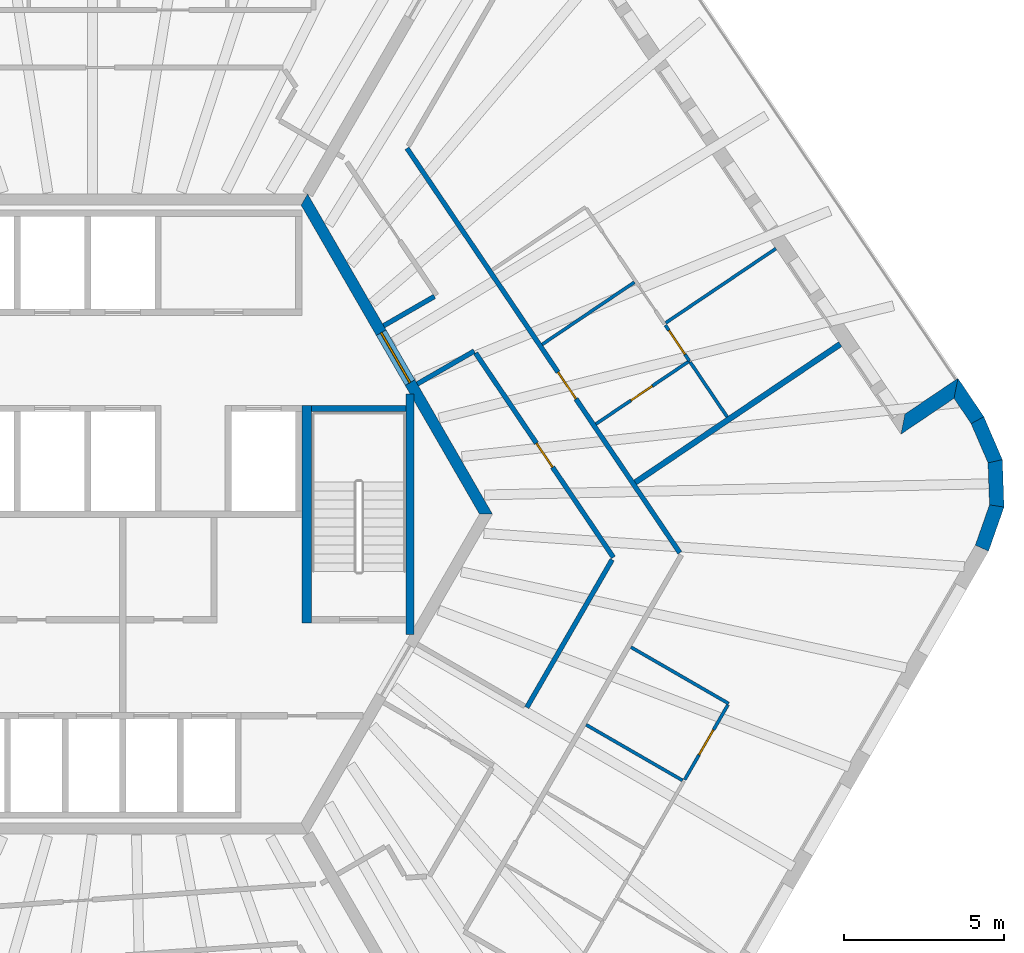
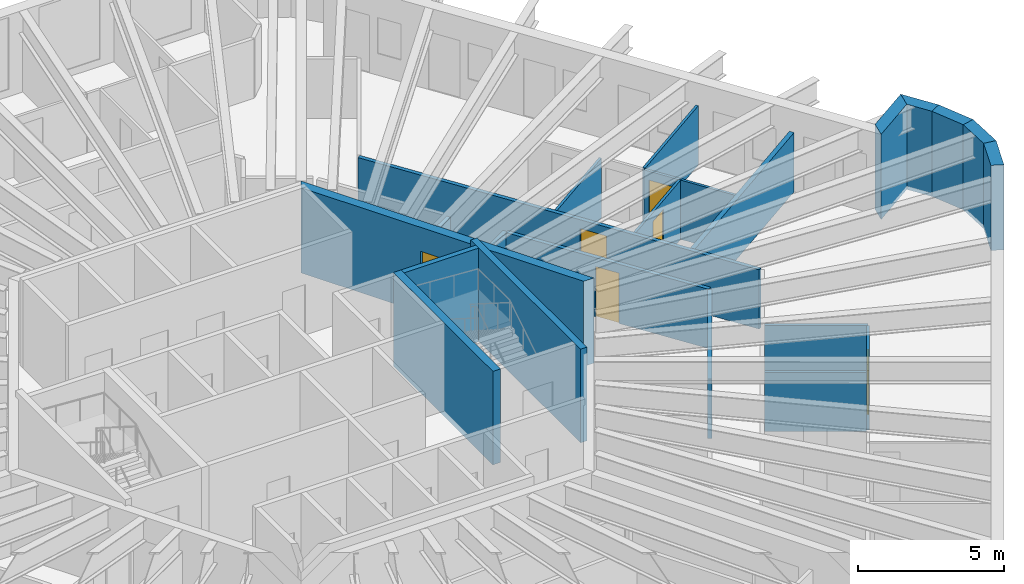
# One storey, part 7 of 11: 23 walls, 6 doors, 6 openings.
"""IFC4 building model written with IfcOpenShell, lengths in metres."""

from ifc_helpers import new_model, si_unit, direction, frame, frame_2d, origin, place, context, subcontext, project, spatial, polyline, rectangle, outline, extrude, material, layer, layer_set, type_object, element, fill, save


model = new_model("IFC4")

# Units and contexts
model_context = context("Model", 3, precision=1e-05, world=origin(), true_north=direction((0.0, 1.0)))
body_context = subcontext(model_context, "Body", "Model", "MODEL_VIEW")
ifc_project = project(units=[si_unit("LENGTHUNIT", "METRE"), si_unit("AREAUNIT", "SQUARE_METRE"), si_unit("VOLUMEUNIT", "CUBIC_METRE"), si_unit("PLANEANGLEUNIT", "RADIAN"), si_unit("MASSUNIT", "GRAM", prefix="KILO")], contexts=[model_context])

# Site, building, storey
site_placement = place(None, origin())
site = spatial("IfcSite", under=ifc_project, at=site_placement, CompositionType="ELEMENT")
building_placement = place(site_placement, origin())
building = spatial("IfcBuilding", under=site, at=building_placement, Name="Tarnside Tower", CompositionType="ELEMENT")
storey_placement = place(building_placement, frame((0.0, 0.0, 372.89990234375)))
storey = spatial("IfcBuildingStorey", under=building, at=storey_placement, Name="L90", CompositionType="ELEMENT", Elevation=372.89990234375)

# Wall
ifc_material_1 = material(Name="Gypsum board partition on steel studs", Category="steel")
ifc_layer_1 = layer(ifc_material_1, 0.10009765625)
ifc_layer_set_1 = layer_set([ifc_layer_1], Name="Bathroom wall 100")
wall_type_1 = type_object("IfcWallType", Name="Bathroom wall 100", PredefinedType="PARTITIONING", material=ifc_layer_set_1)
wall_1_placement = place(storey_placement, frame((17.4833984375, -8.318115234375, 0.0), z_axis=(0.0, 0.0, 1.0), x_axis=(-0.866025305473, 0.500000170281, 0.0)))
element("IfcWall", 1, at=wall_1_placement, inside=storey, type_object=wall_type_1, Name="Bathroom wall 29143", PredefinedType="PARTITIONING", context=body_context, shape_type="SweptSolid", body=[
    extrude(rectangle(XDim=3.47509765625, YDim=0.10009765625, at=frame_2d((1.737548828125, 0.0))), origin(), (0.0, 0.0, 1.0), 2.47021484375),
])

# Wall, opening, door
wall_2_placement = place(storey_placement, frame((14.7783203125, 2.813232421875, 0.0), z_axis=(0.0, 0.0, 1.0), x_axis=(0.829033300448, 0.559199237078, 0.0)))
wall_2 = element("IfcWall", 2, at=wall_2_placement, inside=storey, type_object=wall_type_1, Name="Bathroom wall 29148", PredefinedType="PARTITIONING", context=body_context, shape_type="SweptSolid", body=[
    extrude(rectangle(XDim=3.525146484375, YDim=0.10009765625, at=frame_2d((1.7626953125, 0.0))), origin(), (0.0, 0.0, 1.0), 2.47021484375),
])
opening_1_placement = place(wall_2_placement, frame((1.324951171875, 0.0, 0.0)))
opening_1 = element("IfcOpeningElement", 3, at=opening_1_placement, cuts=wall_2, Name="Opening D-B1", PredefinedType="OPENING", context=body_context, shape_type="SweptSolid", body=[
    extrude(rectangle(XDim=0.800048828125, YDim=2.10009765625, at=frame_2d((0.39990234375, 1.050048828125))), frame((0.0, 0.06005859375, 0.0), z_axis=(0.0, -1.0, 0.0), x_axis=(1.0, 0.0, 0.0)), (0.0, 0.0, 1.0), 0.1201171875),
])
ifc_material_2 = material(Name="Timber door leaf", Category="wood")
door_type_1 = type_object("IfcDoorType", Name="Bathroom door 800", OperationType="NOTDEFINED", PredefinedType="DOOR", material=ifc_material_2)
door_1_placement = place(opening_1_placement, origin())
door_1 = element("IfcDoor", 4, at=door_1_placement, inside=storey, type_object=door_type_1, Name="Bathroom door 29051", OperationType="SINGLE_SWING_RIGHT", OverallHeight=2.10009765625, OverallWidth=0.800048828125, PredefinedType="DOOR", context=body_context, shape_type="SweptSolid", body=[
    extrude(rectangle(XDim=0.800048828125, YDim=2.10009765625, at=frame_2d((0.39990234375, 1.050048828125))), frame((0.0, 0.02490234375, 0.0), z_axis=(0.0, -1.0, 0.0), x_axis=(1.0, 0.0, 0.0)), (0.0, 0.0, 1.0), 0.050048828125),
])
fill(opening_1, door_1)

# Wall
wall_3_placement = place(storey_placement, frame((18.880615234375, 3.03515625, 0.0), z_axis=(0.0, 0.0, 1.0), x_axis=(-0.559200338399, 0.829032557584, 0.0)))
element("IfcWall", 5, at=wall_3_placement, inside=storey, type_object=wall_type_1, Name="Bathroom wall 29151", PredefinedType="PARTITIONING", context=body_context, shape_type="SweptSolid", body=[
    extrude(rectangle(XDim=2.06201171875, YDim=0.10009765625, at=frame_2d((1.031005859375, 0.0))), origin(), (0.0, 0.0, 1.0), 2.47021484375),
])

# Wall, opening, door
ifc_material_3 = material(Name="Concrete C50/60", Category="concrete")
ifc_layer_2 = layer(ifc_material_3, 0.35009765625)
ifc_layer_set_2 = layer_set([ifc_layer_2], Name="Core wall Z4 350 C50/60")
wall_type_2 = type_object("IfcWallType", Name="Core wall Z4 350 C50/60", PredefinedType="SHEAR", material=ifc_layer_set_2)
wall_4_placement = place(storey_placement, frame((11.344970703125, 0.0, -0.14990234375), z_axis=(0.0, 0.0, 1.0), x_axis=(-0.499995046907, 0.866028263435, 0.0)))
wall_4 = element("IfcWall", 6, at=wall_4_placement, inside=storey, type_object=wall_type_2, Name="L90 core wall face 6", PredefinedType="SHEAR", context=body_context, shape_type="SweptSolid", body=[
    extrude(outline(polyline([(-0.10107421875, -0.175048828125), (11.44580078125, -0.175048828125), (11.24365234375, 0.175048828125), (0.10107421875, 0.175048828125), (-0.10107421875, -0.175048828125)])), origin(), (0.0, 0.0, 1.0), 3.550048828125),
])
opening_2_placement = place(wall_4_placement, frame((4.74365234375, 0.0, 0.14990234375)))
opening_2 = element("IfcOpeningElement", 7, at=opening_2_placement, cuts=wall_4, Name="Opening CD-LOB", PredefinedType="OPENING", context=body_context, shape_type="SweptSolid", body=[
    extrude(rectangle(XDim=1.800048828125, YDim=2.39990234375, at=frame_2d((0.89990234375, 1.199951171875))), frame((0.0, 0.18505859375, 0.0), z_axis=(0.0, -1.0, 0.0), x_axis=(1.0, 0.0, 0.0)), (0.0, 0.0, 1.0), 0.3701171875),
])
ifc_material_4 = material(Name="Steel fire door", Category="steel")
door_type_2 = type_object("IfcDoorType", Name="Lobby double door FD30S 1800x2400", OperationType="NOTDEFINED", PredefinedType="DOOR", material=ifc_material_4)
door_2_placement = place(opening_2_placement, origin())
door_2 = element("IfcDoor", 8, at=door_2_placement, inside=storey, type_object=door_type_2, Name="L90 core door P2", OperationType="DOUBLE_DOOR_SINGLE_SWING", OverallHeight=2.39990234375, OverallWidth=1.800048828125, PredefinedType="DOOR", context=body_context, shape_type="SweptSolid", body=[
    extrude(rectangle(XDim=1.800048828125, YDim=2.39990234375, at=frame_2d((0.89990234375, 1.199951171875))), frame((0.0, 0.02490234375, 0.0), z_axis=(0.0, -1.0, 0.0), x_axis=(1.0, 0.0, 0.0)), (0.0, 0.0, 1.0), 0.050048828125),
])
fill(opening_2, door_2)

ifc_layer_3 = layer(ifc_material_1, 0.14990234375)
ifc_layer_set_3 = layer_set([ifc_layer_3], Name="Corridor wall 150 EI 60")
wall_type_3 = type_object("IfcWallType", Name="Corridor wall 150 EI 60", PredefinedType="PARTITIONING", material=ifc_layer_set_3)
wall_5_placement = place(storey_placement, frame((17.4013671875, -1.209716796875, 0.0), z_axis=(0.0, 0.0, 1.0), x_axis=(-0.559186729505, 0.829041736914, 0.0)))
wall_5 = element("IfcWall", 9, at=wall_5_placement, inside=storey, type_object=wall_type_3, Name="Corridor wall 29052", PredefinedType="PARTITIONING", context=body_context, shape_type="SweptSolid", body=[
    extrude(rectangle(XDim=15.24267578125, YDim=0.14990234375, at=frame_2d((7.621337890625, 0.0))), origin(), (0.0, 0.0, 1.0), 2.47021484375),
])
opening_3_placement = place(wall_5_placement, frame((5.80224609375, 0.0, 0.0)))
opening_3 = element("IfcOpeningElement", 10, at=opening_3_placement, cuts=wall_5, Name="Opening D-E1", PredefinedType="OPENING", context=body_context, shape_type="SweptSolid", body=[
    extrude(rectangle(XDim=1.0, YDim=2.10009765625, at=frame_2d((0.5, 1.050048828125))), frame((0.0, 0.0849609375, 0.0), z_axis=(0.0, -1.0, 0.0), x_axis=(1.0, 0.0, 0.0)), (0.0, 0.0, 1.0), 0.169921875),
])
door_type_3 = type_object("IfcDoorType", Name="Unit entrance door 1000 FD30S", OperationType="NOTDEFINED", PredefinedType="DOOR", material=ifc_material_2)
door_3_placement = place(opening_3_placement, origin())
door_3 = element("IfcDoor", 11, at=door_3_placement, inside=storey, type_object=door_type_3, Name="Unit door 29050", OperationType="SINGLE_SWING_RIGHT", OverallHeight=2.10009765625, OverallWidth=1.0, PredefinedType="DOOR", context=body_context, shape_type="SweptSolid", body=[
    extrude(rectangle(XDim=1.0, YDim=2.10009765625, at=frame_2d((0.5, 1.050048828125))), frame((0.0, 0.02490234375, 0.0), z_axis=(0.0, -1.0, 0.0), x_axis=(1.0, 0.0, 0.0)), (0.0, 0.0, 1.0), 0.050048828125),
])
fill(opening_3, door_3)

# Wall
wall_6_placement = place(storey_placement, frame((9.19970703125, 4.065673828125, 0.0), z_axis=(0.0, 0.0, 1.0), x_axis=(0.866011447264, 0.500024172624, 0.0)))
element("IfcWall", 12, at=wall_6_placement, inside=storey, type_object=wall_type_3, Name="Corridor wall 29068", PredefinedType="PARTITIONING", context=body_context, shape_type="SweptSolid", body=[
    extrude(rectangle(XDim=2.0546875, YDim=0.14990234375, at=frame_2d((1.02734375, 0.0))), origin(), (0.0, 0.0, 1.0), 2.47021484375),
])

# Wall, opening, door
wall_7_placement = place(storey_placement, frame((11.02099609375, 5.03076171875, 0.0), z_axis=(0.0, 0.0, 1.0), x_axis=(0.559191842266, -0.829038288346, 0.0)))
wall_7 = element("IfcWall", 13, at=wall_7_placement, inside=storey, type_object=wall_type_3, Name="Corridor wall 29069", PredefinedType="PARTITIONING", context=body_context, shape_type="SweptSolid", body=[
    extrude(rectangle(XDim=7.7001953125, YDim=0.14990234375, at=frame_2d((3.85009765625, 0.0))), origin(), (0.0, 0.0, 1.0), 2.47021484375),
])
opening_4_placement = place(wall_7_placement, frame((3.400146484375, 0.0, 0.0)))
opening_4 = element("IfcOpeningElement", 14, at=opening_4_placement, cuts=wall_7, Name="Opening D-S1", PredefinedType="OPENING", context=body_context, shape_type="SweptSolid", body=[
    extrude(rectangle(XDim=0.89990234375, YDim=2.10009765625, at=frame_2d((0.449951171875, 1.050048828125))), frame((0.0, 0.0849609375, 0.0), z_axis=(0.0, -1.0, 0.0), x_axis=(1.0, 0.0, 0.0)), (0.0, 0.0, 1.0), 0.169921875),
])
door_type_4 = type_object("IfcDoorType", Name="Service room door 900 FD30S", OperationType="NOTDEFINED", PredefinedType="DOOR", material=ifc_material_2)
door_4_placement = place(opening_4_placement, origin())
door_4 = element("IfcDoor", 15, at=door_4_placement, inside=storey, type_object=door_type_4, Name="Service door 29061", OperationType="SINGLE_SWING_LEFT", OverallHeight=2.10009765625, OverallWidth=0.89990234375, PredefinedType="DOOR", context=body_context, shape_type="SweptSolid", body=[
    extrude(rectangle(XDim=0.89990234375, YDim=2.10009765625, at=frame_2d((0.449951171875, 1.050048828125))), frame((0.0, 0.02490234375, 0.0), z_axis=(0.0, -1.0, 0.0), x_axis=(1.0, 0.0, 0.0)), (0.0, 0.0, 1.0), 0.050048828125),
])
fill(opening_4, door_4)

# Walls
wall_8_placement = place(storey_placement, frame((15.28515625, -1.42529296875, 0.0), z_axis=(0.0, 0.0, 1.0), x_axis=(-0.499972278664, -0.866041408113, 0.0)))
element("IfcWall", 16, at=wall_8_placement, inside=storey, type_object=wall_type_3, Name="Corridor wall 29070", PredefinedType="PARTITIONING", context=body_context, shape_type="SweptSolid", body=[
    extrude(rectangle(XDim=5.329345703125, YDim=0.14990234375, at=frame_2d((2.66455078125, 0.0))), origin(), (0.0, 0.0, 1.0), 2.47021484375),
])
wall_9_placement = place(storey_placement, frame((9.73681640625, 6.800537109375, 0.0), z_axis=(0.0, 0.0, 1.0), x_axis=(-0.866045829247, -0.499964620392, 0.0)))
element("IfcWall", 17, at=wall_9_placement, inside=storey, type_object=wall_type_3, Name="Corridor wall 29079", PredefinedType="PARTITIONING", context=body_context, shape_type="SweptSolid", body=[
    extrude(rectangle(XDim=1.832763671875, YDim=0.14990234375, at=frame_2d((0.91650390625, 0.0))), origin(), (0.0, 0.0, 1.0), 2.47021484375),
])
ifc_layer_4 = layer(ifc_material_1, 0.179931640625)
ifc_layer_set_4 = layer_set([ifc_layer_4], Name="Demising wall 180 EI 60")
wall_type_4 = type_object("IfcWallType", Name="Demising wall 180 EI 60", PredefinedType="PARTITIONING", material=ifc_layer_set_4)
wall_10_placement = place(storey_placement, frame((22.412841796875, 5.309326171875, 0.0), z_axis=(0.0, 0.0, 1.0), x_axis=(-0.82903328576, -0.559199258853, 0.0)))
element("IfcWall", 18, at=wall_10_placement, inside=storey, type_object=wall_type_4, Name="Demising wall 29136", PredefinedType="PARTITIONING", context=body_context, shape_type="SweptSolid", body=[
    extrude(rectangle(XDim=7.72509765625, YDim=0.179931640625, at=frame_2d((3.862548828125, 0.0))), origin(), (0.0, 0.0, 1.0), 2.47021484375),
])
ifc_material_5 = material(Name="Concrete C40/50", Category="concrete")
ifc_layer_5 = layer(ifc_material_5, 0.199951171875)
ifc_layer_set_5 = layer_set([ifc_layer_5], Name="Lift shaft wall 200 C40/50")
wall_type_5 = type_object("IfcWallType", Name="Lift shaft wall 200 C40/50", PredefinedType="SHEAR", material=ifc_layer_set_5)
wall_11_placement = place(storey_placement, frame((5.89990234375, 3.300048828125, -0.25), z_axis=(0.0, 0.0, 1.0), x_axis=(1.0, 0.0, 0.0)))
element("IfcWall", 19, at=wall_11_placement, inside=storey, type_object=wall_type_5, Name="L90 stair 1 enclosure cap wall n", PredefinedType="SHEAR", context=body_context, shape_type="SweptSolid", body=[
    extrude(rectangle(XDim=2.9501953125, YDim=0.199951171875, at=frame_2d((1.47509765625, 0.0))), origin(), (0.0, 0.0, 1.0), 3.900146484375),
])
ifc_material_6 = material(Name="Dark zinc cladding")
ifc_layer_6 = layer(ifc_material_6, 0.10205078125)
ifc_material_7 = material(Name="Concrete C60/75 precast", Category="concrete")
ifc_layer_7 = layer(ifc_material_7, 0.248046875)
ifc_material_8 = material(Name="Mineral wool insulation")
ifc_layer_8 = layer(ifc_material_8, 0.10009765625)
ifc_layer_set_6 = layer_set([ifc_layer_6, ifc_layer_7, ifc_layer_8], Name="Loggia wall 450 zinc faced")
wall_type_6 = type_object("IfcWallType", Name="Loggia wall 450 zinc faced", PredefinedType="SOLIDWALL", material=ifc_layer_set_6)
wall_12_placement = place(storey_placement, frame((26.69873046875, 2.93408203125, -0.14990234375), z_axis=(0.0, 0.0, 1.0), x_axis=(-0.559105892217, 0.829096255744, 0.0)))
element("IfcWall", 20, at=wall_12_placement, inside=storey, type_object=wall_type_6, Name="Tube wall L90 F6 stub 28", PredefinedType="SOLIDWALL", context=body_context, shape_type="SweptSolid", body=[
    extrude(outline(polyline([(-0.02099609375, -0.22509765625), (1.4248046875, -0.22509765625), (0.97509765625, 0.22509765625), (0.02099609375, 0.22509765625), (-0.02099609375, -0.22509765625)])), origin(), (0.0, 0.0, 1.0), 3.550048828125),
])
wall_13_placement = place(storey_placement, frame((26.02783203125, 3.928955078125, -0.14990234375), z_axis=(0.0, 0.0, 1.0), x_axis=(-0.829052389485, -0.559170935841, 0.0)))
element("IfcWall", 21, at=wall_13_placement, inside=storey, type_object=wall_type_6, Name="Tube wall L90 F6 return 29", PredefinedType="SOLIDWALL", context=body_context, shape_type="SweptSolid", body=[
    extrude(outline(polyline([(-0.224853515625, -0.22509765625), (1.77490234375, -0.22509765625), (2.22509765625, 0.22509765625), (0.224853515625, 0.22509765625), (-0.224853515625, -0.22509765625)])), origin(), (0.0, 0.0, 1.0), 3.550048828125),
])
ifc_layer_9 = layer(ifc_material_1, 0.10009765625)
ifc_layer_set_7 = layer_set([ifc_layer_9], Name="Partition 100")
wall_type_7 = type_object("IfcWallType", Name="Partition 100", PredefinedType="PARTITIONING", material=ifc_layer_set_7)
wall_14_placement = place(storey_placement, frame((15.873779296875, -4.15576171875, 0.0), z_axis=(0.0, 0.0, 1.0), x_axis=(0.866031034943, -0.499990246421, 0.0)))
element("IfcWall", 22, at=wall_14_placement, inside=storey, type_object=wall_type_7, Name="Partition wall 29134", PredefinedType="PARTITIONING", context=body_context, shape_type="SweptSolid", body=[
    extrude(rectangle(XDim=3.52490234375, YDim=0.10009765625, at=frame_2d((1.762451171875, 0.0))), origin(), (0.0, 0.0, 1.0), 2.47021484375),
])

# Wall, opening, door
wall_15_placement = place(storey_placement, frame((18.901611328125, -5.96142578125, 0.0), z_axis=(0.0, 0.0, 1.0), x_axis=(-0.50000943426, -0.866019956843, 0.0)))
wall_15 = element("IfcWall", 23, at=wall_15_placement, inside=storey, type_object=wall_type_7, Name="Partition wall 29135", PredefinedType="PARTITIONING", context=body_context, shape_type="SweptSolid", body=[
    extrude(rectangle(XDim=2.7001953125, YDim=0.10009765625, at=frame_2d((1.35009765625, 0.0))), origin(), (0.0, 0.0, 1.0), 2.47021484375),
])
opening_5_placement = place(wall_15_placement, frame((0.89990234375, 0.0, 0.0)))
opening_5 = element("IfcOpeningElement", 24, at=opening_5_placement, cuts=wall_15, Name="Opening D-I1", PredefinedType="OPENING", context=body_context, shape_type="SweptSolid", body=[
    extrude(rectangle(XDim=0.89990234375, YDim=2.10009765625, at=frame_2d((0.449951171875, 1.050048828125))), frame((0.0, 0.06005859375, 0.0), z_axis=(0.0, -1.0, 0.0), x_axis=(1.0, 0.0, 0.0)), (0.0, 0.0, 1.0), 0.1201171875),
])
door_type_5 = type_object("IfcDoorType", Name="Internal door 900", OperationType="NOTDEFINED", PredefinedType="DOOR", material=ifc_material_2)
door_5_placement = place(opening_5_placement, origin())
door_5 = element("IfcDoor", 25, at=door_5_placement, inside=storey, type_object=door_type_5, Name="Internal door 29049", OperationType="SINGLE_SWING_RIGHT", OverallHeight=2.10009765625, OverallWidth=0.89990234375, PredefinedType="DOOR", context=body_context, shape_type="SweptSolid", body=[
    extrude(rectangle(XDim=0.89990234375, YDim=2.10009765625, at=frame_2d((0.449951171875, 1.050048828125))), frame((0.0, 0.02490234375, 0.0), z_axis=(0.0, -1.0, 0.0), x_axis=(1.0, 0.0, 0.0)), (0.0, 0.0, 1.0), 0.050048828125),
])
fill(opening_5, door_5)

# Wall
wall_16_placement = place(storey_placement, frame((16.959228515625, 5.97314453125, 0.0), z_axis=(0.0, 0.0, 1.0), x_axis=(0.829060712991, 0.559158594833, 0.0)))
element("IfcWall", 26, at=wall_16_placement, inside=storey, type_object=wall_type_7, Name="Partition wall 29145", PredefinedType="PARTITIONING", context=body_context, shape_type="SweptSolid", body=[
    extrude(rectangle(XDim=4.150146484375, YDim=0.10009765625, at=frame_2d((2.0751953125, 0.0))), origin(), (0.0, 0.0, 1.0), 2.47021484375),
])

# Wall, opening, door
wall_17_placement = place(storey_placement, frame((17.701904296875, 4.78271484375, 0.0), z_axis=(0.0, 0.0, 1.0), x_axis=(-0.559150326391, 0.829066289567, 0.0)))
wall_17 = element("IfcWall", 27, at=wall_17_placement, inside=storey, type_object=wall_type_7, Name="Partition wall 29149", PredefinedType="PARTITIONING", context=body_context, shape_type="SweptSolid", body=[
    extrude(rectangle(XDim=1.352294921875, YDim=0.10009765625, at=frame_2d((0.67626953125, 0.0))), origin(), (0.0, 0.0, 1.0), 2.47021484375),
])
opening_6_placement = place(wall_17_placement, frame((0.251953125, 0.0, 0.0)))
opening_6 = element("IfcOpeningElement", 28, at=opening_6_placement, cuts=wall_17, Name="Opening D-I1", PredefinedType="OPENING", context=body_context, shape_type="SweptSolid", body=[
    extrude(rectangle(XDim=0.89990234375, YDim=2.10009765625, at=frame_2d((0.449951171875, 1.050048828125))), frame((0.0, 0.06005859375, 0.0), z_axis=(0.0, -1.0, 0.0), x_axis=(1.0, 0.0, 0.0)), (0.0, 0.0, 1.0), 0.1201171875),
])
door_6_placement = place(opening_6_placement, origin())
door_6 = element("IfcDoor", 29, at=door_6_placement, inside=storey, type_object=door_type_5, Name="Internal door 29053", OperationType="SINGLE_SWING_LEFT", OverallHeight=2.10009765625, OverallWidth=0.89990234375, PredefinedType="DOOR", context=body_context, shape_type="SweptSolid", body=[
    extrude(rectangle(XDim=0.89990234375, YDim=2.10009765625, at=frame_2d((0.449951171875, 1.050048828125))), frame((0.0, 0.02490234375, 0.0), z_axis=(0.0, -1.0, 0.0), x_axis=(1.0, 0.0, 0.0)), (0.0, 0.0, 1.0), 0.050048828125),
])
fill(opening_6, door_6)

# Walls
wall_18_placement = place(storey_placement, frame((15.981689453125, 7.24365234375, 0.0), z_axis=(0.0, 0.0, 1.0), x_axis=(-0.829044102949, -0.559183221642, 0.0)))
element("IfcWall", 30, at=wall_18_placement, inside=storey, type_object=wall_type_7, Name="Partition wall 29150", PredefinedType="PARTITIONING", context=body_context, shape_type="SweptSolid", body=[
    extrude(rectangle(XDim=3.474853515625, YDim=0.10009765625, at=frame_2d((1.7373046875, 0.0))), origin(), (0.0, 0.0, 1.0), 2.47021484375),
])
ifc_layer_10 = layer(ifc_material_5, 0.25)
ifc_layer_set_8 = layer_set([ifc_layer_10], Name="Stair enclosure wall 250 C40/50")
wall_type_8 = type_object("IfcWallType", Name="Stair enclosure wall 250 C40/50", PredefinedType="SHEAR", material=ifc_layer_set_8)
wall_19_placement = place(storey_placement, frame((8.97509765625, -3.7548828125, -0.25), z_axis=(0.0, 0.0, 1.0), x_axis=(0.0, 1.0, 0.0)))
element("IfcWall", 31, at=wall_19_placement, inside=storey, type_object=wall_type_8, Name="L90 stair 1 enclosure wall outer", PredefinedType="SHEAR", context=body_context, shape_type="SweptSolid", body=[
    extrude(rectangle(XDim=7.509765625, YDim=0.25, at=frame_2d((3.7548828125, 0.0))), origin(), (0.0, 0.0, 1.0), 3.900146484375),
])
ifc_layer_11 = layer(ifc_material_5, 0.300048828125)
ifc_layer_set_9 = layer_set([ifc_layer_11], Name="Stair enclosure wall 300 C40/50")
wall_type_9 = type_object("IfcWallType", Name="Stair enclosure wall 300 C40/50", PredefinedType="SHEAR", material=ifc_layer_set_9)
wall_20_placement = place(storey_placement, frame((5.75, -3.39990234375, -0.25), z_axis=(0.0, 0.0, 1.0), x_axis=(0.0, 1.0, 0.0)))
element("IfcWall", 32, at=wall_20_placement, inside=storey, type_object=wall_type_9, Name="L90 stair 1 enclosure wall inner", PredefinedType="SHEAR", context=body_context, shape_type="SweptSolid", body=[
    extrude(rectangle(XDim=6.7998046875, YDim=0.300048828125, at=frame_2d((3.39990234375, 0.0))), origin(), (0.0, 0.0, 1.0), 3.900146484375),
])
ifc_material_9 = material(Name="Facing brick", Category="masonry")
ifc_layer_12 = layer(ifc_material_9, 0.10205078125)
ifc_layer_13 = layer(ifc_material_7, 0.248046875)
ifc_layer_14 = layer(ifc_material_8, 0.10009765625)
ifc_layer_set_10 = layer_set([ifc_layer_12, ifc_layer_13, ifc_layer_14], Name="Tube wall 450 brick faced")
wall_type_10 = type_object("IfcWallType", Name="Tube wall 450 brick faced", PredefinedType="SOLIDWALL", material=ifc_layer_set_10)
wall_21_placement = place(storey_placement, frame((26.83837890625, -1.064453125, -0.14990234375), z_axis=(0.0, 0.0, 1.0), x_axis=(0.331074067573, 0.943604769901, 0.0)))
element("IfcWall", 33, at=wall_21_placement, inside=storey, type_object=wall_type_10, Name="Tube wall L90 F5 chord 25", PredefinedType="SOLIDWALL", context=body_context, shape_type="SweptSolid", body=[
    extrude(outline(polyline([(-0.02099609375, -0.22509765625), (1.43994140625, -0.22509765625), (1.35498046875, 0.22509765625), (0.02099609375, 0.22509765625), (-0.02099609375, -0.22509765625)])), origin(), (0.0, 0.0, 1.0), 3.550048828125),
])
wall_22_placement = place(storey_placement, frame((27.301025390625, 0.254150390625, -0.14990234375), z_axis=(0.0, 0.0, 1.0), x_axis=(-0.034763104447, 0.999395580623, 0.0)))
element("IfcWall", 34, at=wall_22_placement, inside=storey, type_object=wall_type_10, Name="Tube wall L90 F5 chord 26", PredefinedType="SOLIDWALL", context=body_context, shape_type="SweptSolid", body=[
    extrude(outline(polyline([(-0.04248046875, -0.22509765625), (1.43994140625, -0.22509765625), (1.35498046875, 0.22509765625), (0.04248046875, 0.22509765625), (-0.04248046875, -0.22509765625)])), origin(), (0.0, 0.0, 1.0), 3.550048828125),
])
wall_23_placement = place(storey_placement, frame((27.25244140625, 1.65087890625, -0.14990234375), z_axis=(0.0, 0.0, 1.0), x_axis=(-0.396195073027, 0.918166359713, 0.0)))
element("IfcWall", 35, at=wall_23_placement, inside=storey, type_object=wall_type_10, Name="Tube wall L90 F5 chord 27", PredefinedType="SOLIDWALL", context=body_context, shape_type="SweptSolid", body=[
    extrude(outline(polyline([(-0.04248046875, -0.22509765625), (1.41845703125, -0.22509765625), (1.37646484375, 0.22509765625), (0.04248046875, 0.22509765625), (-0.04248046875, -0.22509765625)])), origin(), (0.0, 0.0, 1.0), 3.550048828125),
])

save(model, "model.ifc")
